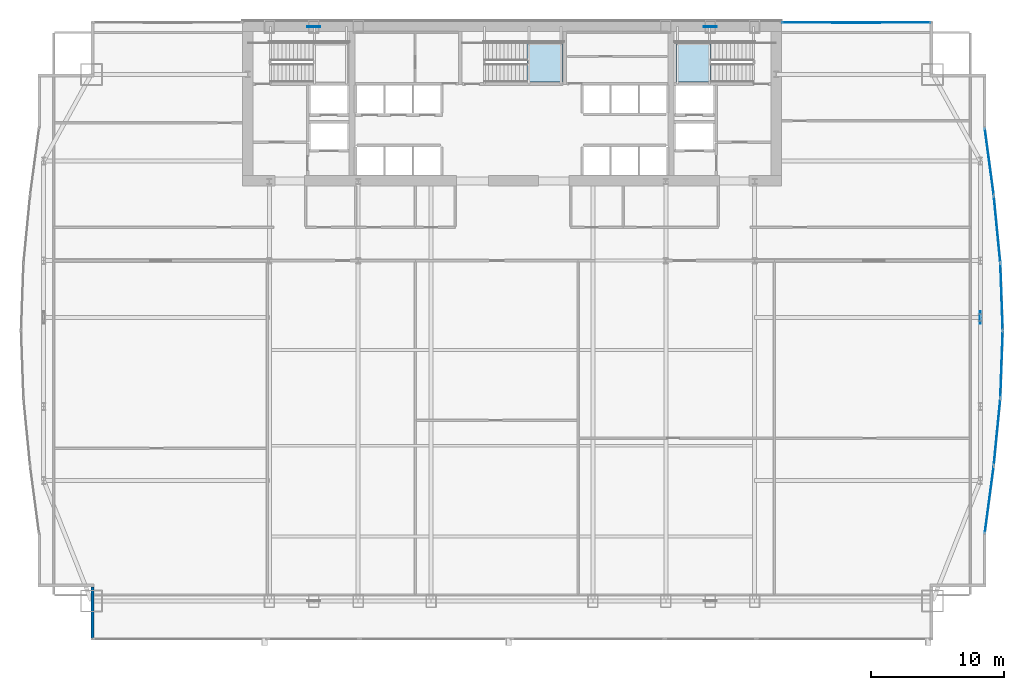
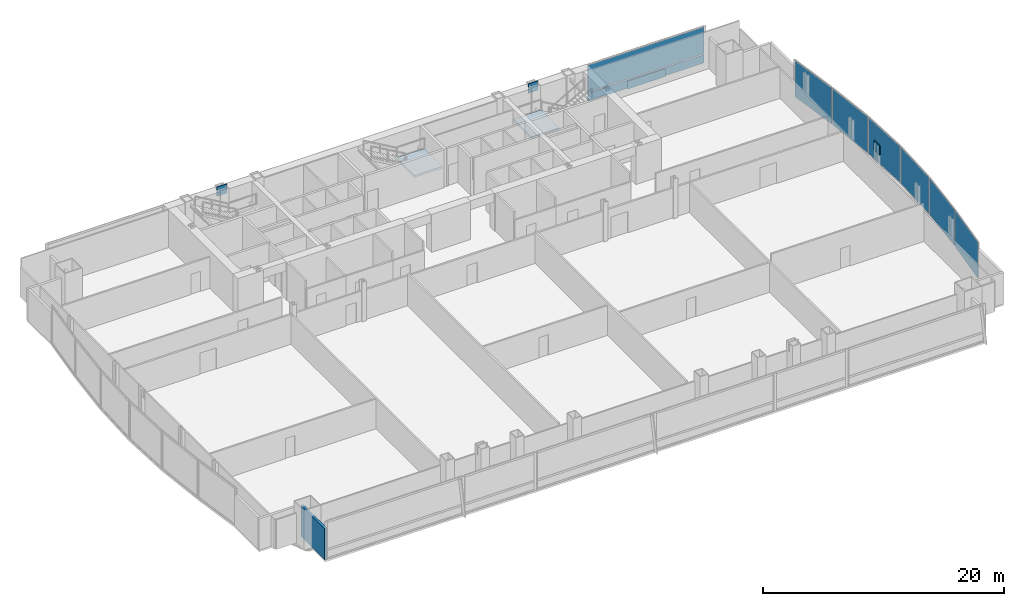
# One storey, part 27 of 35: 12 plates, 2 slabs, 1 wall, 9 elements without a shape of their own.
"""IFC4 building model written with IfcOpenShell, lengths in metres."""

from ifc_helpers import new_model, si_unit, direction, frame, frame_2d, origin, origin_2d, place, context, subcontext, project, spatial, polyline, rectangle, outline, extrude, material, layer, layer_set, type_object, element, aggregate, save


model = new_model("IFC4")

# Units and contexts
model_context = context("Model", 3, precision=1e-05, world=origin(), true_north=direction((0.0, 1.0)))
body_context = subcontext(model_context, "Body", "Model", "MODEL_VIEW")
ifc_project = project(units=[si_unit("LENGTHUNIT", "METRE"), si_unit("AREAUNIT", "SQUARE_METRE"), si_unit("VOLUMEUNIT", "CUBIC_METRE"), si_unit("PLANEANGLEUNIT", "RADIAN"), si_unit("MASSUNIT", "GRAM", prefix="KILO")], contexts=[model_context])

# Site, building, storey
site_placement = place(None, origin())
site = spatial("IfcSite", under=ifc_project, at=site_placement, CompositionType="ELEMENT")
building_placement = place(site_placement, origin())
building = spatial("IfcBuilding", under=site, at=building_placement, Name="Khoronbel Lancet Exchange", CompositionType="ELEMENT")
storey_placement = place(building_placement, frame((0.0, 0.0, 69.800048828125)))
storey = spatial("IfcBuildingStorey", under=building, at=storey_placement, Name="L16", CompositionType="ELEMENT", Elevation=69.800048828125)

# Curtain wall, plate
ifc_material_1 = material(Name="Low-E Solar Control Insulating Glass", Category="glass")
curtain_wall_type_1 = type_object("IfcCurtainWallType", Name="CW-1", PredefinedType="NOTDEFINED", material=ifc_material_1)
curtain_wall_1_placement = place(storey_placement, origin())
curtain_wall_1 = element("IfcCurtainWall", 1, at=curtain_wall_1_placement, inside=storey, type_object=curtain_wall_type_1, Name="Unitised curtain wall CW-L16-NEFLK", PredefinedType="NOTDEFINED")
ifc_material_2 = material(Name="Bronze-Anodised Aluminium 6063-T6", Category="aluminium")
ifc_layer_1 = layer(ifc_material_2, 0.050048828125, Name="Bronze-Anodised Aluminium 6063-T6")
ifc_layer_set_1 = layer_set([ifc_layer_1], Name="Bronze-Anodised Aluminium 6063-T6")
plate_type_1 = type_object("IfcPlateType", Name="PLT-CSP1", PredefinedType="SHEET", material=ifc_layer_set_1)
plate_1_placement = place(storey_placement, frame((62.320068359375, 53.550048828125, 0.0498046875), z_axis=(0.0, 0.0, 1.0), x_axis=(-1.0, 0.0, 0.0)))
plate_1 = element("IfcPlate", 2, at=plate_1_placement, type_object=plate_type_1, Name="Insulated bronze spandrel cassette CW-L16-NEFLK", PredefinedType="SHEET", context=body_context, shape_type="SweptSolid", body=[
    extrude(rectangle(XDim=3.60009765625, YDim=0.050048828125, at=origin_2d()), origin(), (0.0, 0.0, 1.0), 0.800048828125),
])

curtain_wall_type_2 = type_object("IfcCurtainWallType", Name="CW-4", PredefinedType="NOTDEFINED", material=ifc_material_1)
curtain_wall_2_placement = place(storey_placement, origin())
curtain_wall_2 = element("IfcCurtainWall", 3, at=curtain_wall_2_placement, inside=storey, type_object=curtain_wall_type_2, Name="Unitised curtain wall CW-L16-E18", PredefinedType="NOTDEFINED")
plate_2_placement = place(storey_placement, frame((72.88623046875, 38.06689453125, 0.0849609375), z_axis=(0.0, 0.0, 1.0), x_axis=(0.097134524689, -0.995271261573, 0.0)))
plate_2 = element("IfcPlate", 4, at=plate_2_placement, type_object=plate_type_1, Name="CW4 panel 1.1", PredefinedType="CURTAIN_PANEL", context=body_context, shape_type="SweptSolid", body=[
    extrude(rectangle(XDim=4.953125, YDim=0.0380859375, at=origin_2d()), origin(), (0.0, 0.0, 1.0), 3.64990234375),
])
aggregate(curtain_wall_2, [plate_2])

curtain_wall_3_placement = place(storey_placement, origin())
curtain_wall_3 = element("IfcCurtainWall", 5, at=curtain_wall_3_placement, inside=storey, type_object=curtain_wall_type_2, Name="Unitised curtain wall CW-L16-E19", PredefinedType="NOTDEFINED")
plate_3_placement = place(storey_placement, frame((73.224609375, 32.98876953125, 0.0849609375), z_axis=(0.0, 0.0, 1.0), x_axis=(0.035685211912, -0.999363079992, 0.0)))
plate_3 = element("IfcPlate", 6, at=plate_3_placement, type_object=plate_type_1, Name="CW4 panel 1.1", PredefinedType="CURTAIN_PANEL", context=body_context, shape_type="SweptSolid", body=[
    extrude(rectangle(XDim=4.930419921875, YDim=0.0380859375, at=origin_2d()), origin(), (0.0, 0.0, 1.0), 3.64990234375),
])
aggregate(curtain_wall_3, [plate_3])

curtain_wall_4_placement = place(storey_placement, origin())
curtain_wall_4 = element("IfcCurtainWall", 7, at=curtain_wall_4_placement, inside=storey, type_object=curtain_wall_type_2, Name="Unitised curtain wall CW-L16-E20", PredefinedType="NOTDEFINED")
plate_4_placement = place(storey_placement, frame((73.224609375, 27.911376953125, 0.0849609375), z_axis=(0.0, 0.0, 1.0), x_axis=(-0.035685211912, -0.999363079992, 0.0)))
plate_4 = element("IfcPlate", 8, at=plate_4_placement, type_object=plate_type_1, Name="CW4 panel 1.1", PredefinedType="CURTAIN_PANEL", context=body_context, shape_type="SweptSolid", body=[
    extrude(rectangle(XDim=4.930419921875, YDim=0.0380859375, at=origin_2d()), origin(), (0.0, 0.0, 1.0), 3.64990234375),
])
aggregate(curtain_wall_4, [plate_4])

curtain_wall_5_placement = place(storey_placement, origin())
curtain_wall_5 = element("IfcCurtainWall", 9, at=curtain_wall_5_placement, inside=storey, type_object=curtain_wall_type_2, Name="Unitised curtain wall CW-L16-E21", PredefinedType="NOTDEFINED")
plate_5_placement = place(storey_placement, frame((72.88623046875, 22.833251953125, 0.0849609375), z_axis=(0.0, 0.0, 1.0), x_axis=(-0.097134524689, -0.995271261573, 0.0)))
plate_5 = element("IfcPlate", 10, at=plate_5_placement, type_object=plate_type_1, Name="CW4 panel 1.1", PredefinedType="CURTAIN_PANEL", context=body_context, shape_type="SweptSolid", body=[
    extrude(rectangle(XDim=4.953125, YDim=0.0380859375, at=origin_2d()), origin(), (0.0, 0.0, 1.0), 3.64990234375),
])
aggregate(curtain_wall_5, [plate_5])

# Plate
ifc_layer_2 = layer(ifc_material_1, 0.035888671875, Name="Low-E Solar Control Insulating Glass")
ifc_layer_set_2 = layer_set([ifc_layer_2], Name="Low-E Solar Control Insulating Glass")
plate_type_2 = type_object("IfcPlateType", Name="PLT-CWP1", PredefinedType="CURTAIN_PANEL", material=ifc_layer_set_2)
plate_6_placement = place(storey_placement, frame((62.320068359375, 53.610107421875, 0.0849609375), z_axis=(0.0, 0.0, 1.0), x_axis=(-1.0, 0.0, 0.0)))
plate_6 = element("IfcPlate", 11, at=plate_6_placement, type_object=plate_type_2, Name="CW1 panel 1.1", PredefinedType="CURTAIN_PANEL", context=body_context, shape_type="SweptSolid", body=[
    extrude(rectangle(XDim=11.110107421875, YDim=0.0380859375, at=origin_2d()), origin(), (0.0, 0.0, 1.0), 0.822509765625),
])

plate_7_placement = place(storey_placement, frame((62.320068359375, 53.610107421875, 0.99267578125), z_axis=(0.0, 0.0, 1.0), x_axis=(-1.0, 0.0, 0.0)))
plate_7 = element("IfcPlate", 12, at=plate_7_placement, type_object=plate_type_2, Name="CW1 panel 1.2", PredefinedType="CURTAIN_PANEL", context=body_context, shape_type="SweptSolid", body=[
    extrude(rectangle(XDim=11.110107421875, YDim=0.0380859375, at=origin_2d()), origin(), (0.0, 0.0, 1.0), 2.742431640625),
])

aggregate(curtain_wall_1, [plate_6, plate_7, plate_1])

# Curtain wall, plate
curtain_wall_6_placement = place(storey_placement, origin())
curtain_wall_6 = element("IfcCurtainWall", 13, at=curtain_wall_6_placement, inside=storey, type_object=curtain_wall_type_2, Name="Unitised curtain wall CW-L16-E17", PredefinedType="NOTDEFINED")
ifc_material_3 = material(Name="Ceramic-Fritted Laminated Insulating Glass", Category="glass")
ifc_layer_3 = layer(ifc_material_3, 0.0419921875, Name="Ceramic-Fritted Laminated Insulating Glass")
ifc_layer_set_3 = layer_set([ifc_layer_3], Name="Ceramic-Fritted Laminated Insulating Glass")
plate_type_3 = type_object("IfcPlateType", Name="PLT-CWP2", PredefinedType="CURTAIN_PANEL", material=ifc_layer_set_3)
plate_8_placement = place(storey_placement, frame((72.299072265625, 43.150146484375, 0.0849609375), z_axis=(0.0, 0.0, 1.0), x_axis=(0.132154786724, -0.991229091757, 0.0)))
plate_8 = element("IfcPlate", 14, at=plate_8_placement, type_object=plate_type_3, Name="CW4 panel 1.1", PredefinedType="CURTAIN_PANEL", context=body_context, shape_type="SweptSolid", body=[
    extrude(rectangle(XDim=4.982666015625, YDim=0.0380859375, at=origin_2d()), origin(), (0.0, 0.0, 1.0), 3.64990234375),
])
aggregate(curtain_wall_6, [plate_8])

curtain_wall_7_placement = place(storey_placement, origin())
curtain_wall_7 = element("IfcCurtainWall", 15, at=curtain_wall_7_placement, inside=storey, type_object=curtain_wall_type_2, Name="Unitised curtain wall CW-L16-E22", PredefinedType="NOTDEFINED")
plate_9_placement = place(storey_placement, frame((72.299072265625, 17.749755859375, 0.0849609375), z_axis=(0.0, 0.0, 1.0), x_axis=(-0.132154786724, -0.991229091757, 0.0)))
plate_9 = element("IfcPlate", 16, at=plate_9_placement, type_object=plate_type_3, Name="CW4 panel 1.1", PredefinedType="CURTAIN_PANEL", context=body_context, shape_type="SweptSolid", body=[
    extrude(rectangle(XDim=4.982666015625, YDim=0.0380859375, at=origin_2d()), origin(), (0.0, 0.0, 1.0), 3.64990234375),
])
aggregate(curtain_wall_7, [plate_9])

# Plates
ifc_material_4 = material(Name="Steel S460", Category="steel")
ifc_layer_4 = layer(ifc_material_4, 0.06005859375, Name="Steel S460")
ifc_layer_set_4 = layer_set([ifc_layer_4], Name="Steel S460")
plate_type_4 = type_object("IfcPlateType", Name="PLT-ND1", PredefinedType="USERDEFINED", material=ifc_layer_set_4)
for number, where, z_axis, x_axis, name in (
    (17, (21.5625, 53.280029296875, 3.1748046875), (0.0, 0.0, 1.0), (1.0, 0.0, 0.0), "ND1 perimeter brace node gusset T04-N-W"),
    (18, (51.33740234375, 53.280029296875, 3.1748046875), (0.0, 0.0, 1.0), (1.0, 0.0, 0.0), "ND1 perimeter brace node gusset T04-N-E"),
    (19, (71.6298828125, 31.425048828125, 3.1748046875), (0.0, 0.0, 1.0), (0.0, 1.0, 0.0), "ND1 perimeter brace node gusset T04-E-P"),
):
    element("IfcPlate", number, at=place(storey_placement, frame(where, z_axis=z_axis, x_axis=x_axis)), inside=storey, type_object=plate_type_4, Name=name, ObjectType="GUSSET_PLATE", PredefinedType="USERDEFINED", context=body_context, shape_type="SweptSolid", body=[
        extrude(rectangle(XDim=0.949951171875, YDim=0.06005859375, at=origin_2d()), origin(), (0.0, 0.0, 1.0), 0.949951171875),
    ])

# Stair, slab
ifc_material_5 = material(Name="Concrete C40/50", Category="concrete")
stair_type = type_object("IfcStairType", Name="STR-CORE150", PredefinedType="HALF_TURN_STAIR", material=ifc_material_5)
stair_1_placement = place(storey_placement, origin())
stair_1 = element("IfcStair", 20, at=stair_1_placement, inside=storey, type_object=stair_type, Name="L16 Protected Exit Stair ST2", PredefinedType="HALF_TURN_STAIR")
ifc_layer_5 = layer(ifc_material_5, 0.199951171875, Name="Concrete C40/50")
ifc_layer_set_5 = layer_set([ifc_layer_5], Name="Concrete C40/50")
slab_type = type_object("IfcSlabType", Name="SL-LND180", PredefinedType="LANDING", material=ifc_layer_set_5)
slab_1_placement = place(storey_placement, frame((0.0, 0.0, 1.800048828125)))
slab_1 = element("IfcSlab", 21, at=slab_1_placement, type_object=slab_type, Name="ST2 landing 1", PredefinedType="LANDING", context=body_context, shape_type="SweptSolid", body=[
    extrude(outline(polyline([(51.409912109375, 52.10009765625), (48.75, 52.10009765625), (48.75, 49.1201171875), (51.409912109375, 49.1201171875), (51.409912109375, 52.10009765625)])), origin(), (0.0, 0.0, 1.0), 0.199951171875),
])
aggregate(stair_1, [slab_1])

stair_2_placement = place(storey_placement, origin())
stair_2 = element("IfcStair", 22, at=stair_2_placement, inside=storey, type_object=stair_type, Name="L16 Protected Exit Stair ST3", PredefinedType="HALF_TURN_STAIR")
slab_2_placement = place(storey_placement, frame((0.0, 0.0, 1.800048828125)))
slab_2 = element("IfcSlab", 23, at=slab_2_placement, type_object=slab_type, Name="ST3 landing 1", PredefinedType="LANDING", context=body_context, shape_type="SweptSolid", body=[
    extrude(outline(polyline([(37.590087890625, 49.1201171875), (40.25, 49.1201171875), (40.25, 52.10009765625), (37.590087890625, 52.10009765625), (37.590087890625, 49.1201171875)])), origin(), (0.0, 0.0, 1.0), 0.199951171875),
])
aggregate(stair_2, [slab_2])

# Wall
ifc_material_6 = material(Name="Precast concrete C40/50", Category="concrete")
ifc_layer_6 = layer(ifc_material_6, 0.25, Name="Precast concrete C40/50")
ifc_layer_set_6 = layer_set([ifc_layer_6], Name="Precast concrete C40/50")
wall_type = type_object("IfcWallType", Name="WL-EXT250", PredefinedType="SOLIDWALL", material=ifc_layer_set_6)
wall_placement = place(storey_placement, frame((4.93994140625, 7.27001953125, 0.0), z_axis=(0.0, 0.0, 1.0), x_axis=(0.0, 1.0, 0.0)))
element("IfcWall", 24, at=wall_placement, inside=storey, type_object=wall_type, Name="Level L16 notched-corner limestone pier 01", PredefinedType="SOLIDWALL", context=body_context, shape_type="SweptSolid", body=[
    extrude(rectangle(XDim=3.909912109375, YDim=0.219970703125, at=frame_2d((1.955078125, 0.0))), origin(), (0.0, 0.0, 1.0), 3.159912109375),
])

save(model, "model.ifc")
